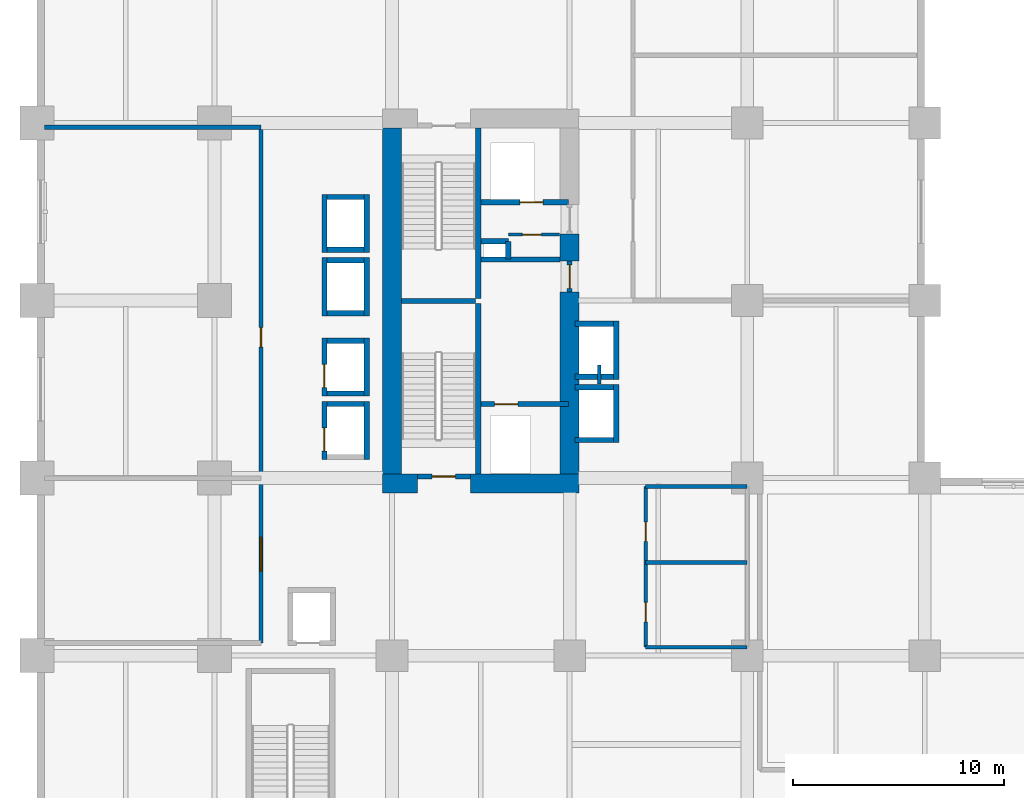
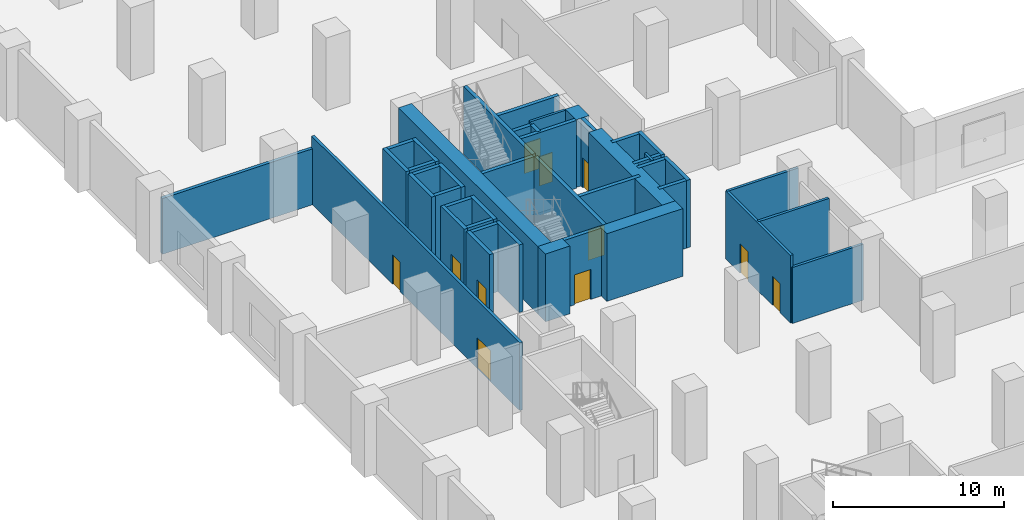
# One storey, part 12 of 19: 44 walls, 11 doors, 11 openings.
"""IFC4 building model written with IfcOpenShell, lengths in metres."""

from ifc_helpers import new_model, si_unit, direction, frame, frame_2d, origin, place, context, subcontext, project, spatial, rectangle, extrude, material, layer, layer_set, type_object, element, fill, save


model = new_model("IFC4")

# Units and contexts
model_context = context("Model", 3, precision=1e-05, world=origin(), true_north=direction((0.0, 1.0)))
body_context = subcontext(model_context, "Body", "Model", "MODEL_VIEW")
ifc_project = project(units=[si_unit("LENGTHUNIT", "METRE"), si_unit("AREAUNIT", "SQUARE_METRE"), si_unit("VOLUMEUNIT", "CUBIC_METRE"), si_unit("PLANEANGLEUNIT", "RADIAN"), si_unit("MASSUNIT", "GRAM", prefix="KILO")], contexts=[model_context])

# Site, building, storey
site_placement = place(None, origin())
site = spatial("IfcSite", under=ifc_project, at=site_placement, CompositionType="ELEMENT")
building_placement = place(site_placement, origin())
building = spatial("IfcBuilding", under=site, at=building_placement, Name="Koriwani Terraces Tower", CompositionType="ELEMENT")
storey_placement = place(building_placement, frame((0.0, 0.0, 15.60009765625)))
storey = spatial("IfcBuildingStorey", under=building, at=storey_placement, Name="L03", CompositionType="ELEMENT", Elevation=15.60009765625)

# Walls
ifc_material_1 = material(Name="Concrete C60/75", Category="concrete")
ifc_layer_1 = layer(ifc_material_1, 0.89990234375, Name="Concrete C60/75")
ifc_layer_set_1 = layer_set([ifc_layer_1], Name="Concrete C60/75")
wall_type_1 = type_object("IfcWallType", Name="WALL_CORE_RC_900", PredefinedType="SHEAR", material=ifc_layer_set_1)
wall_1_placement = place(storey_placement, frame((16.35009765625, 41.75, 0.0), z_axis=(0.0, 0.0, 1.0), x_axis=(1.0, 0.0, 0.0)))
element("IfcWall", 1, at=wall_1_placement, inside=storey, type_object=wall_type_1, Name="L03 West Split Core Shear Wall S1", PredefinedType="SHEAR", context=body_context, shape_type="SweptSolid", body=[
    extrude(rectangle(XDim=1.64990234375, YDim=0.89990234375, at=frame_2d((0.824951171875, 0.0))), origin(), (0.0, 0.0, 1.0), 4.849853515625),
])
wall_2_placement = place(storey_placement, frame((20.5, 41.75, 0.0), z_axis=(0.0, 0.0, 1.0), x_axis=(1.0, 0.0, 0.0)))
element("IfcWall", 2, at=wall_2_placement, inside=storey, type_object=wall_type_1, Name="L03 West Split Core Shear Wall S2", PredefinedType="SHEAR", context=body_context, shape_type="SweptSolid", body=[
    extrude(rectangle(XDim=5.14990234375, YDim=0.89990234375, at=frame_2d((2.574951171875, 0.0))), origin(), (0.0, 0.0, 1.0), 4.849853515625),
])
wall_3_placement = place(storey_placement, frame((16.800048828125, 42.199951171875, 0.0), z_axis=(0.0, 0.0, 1.0), x_axis=(0.0, 1.0, 0.0)))
element("IfcWall", 3, at=wall_3_placement, inside=storey, type_object=wall_type_1, Name="L03 West Split Core Shear Wall W1", PredefinedType="SHEAR", context=body_context, shape_type="SweptSolid", body=[
    extrude(rectangle(XDim=16.35009765625, YDim=0.89990234375, at=frame_2d((8.175048828125, 0.0))), origin(), (0.0, 0.0, 1.0), 4.849853515625),
])
wall_4_placement = place(storey_placement, frame((25.199951171875, 42.199951171875, 0.0), z_axis=(0.0, 0.0, 1.0), x_axis=(0.0, 1.0, 0.0)))
element("IfcWall", 4, at=wall_4_placement, inside=storey, type_object=wall_type_1, Name="L03 West Split Core Shear Wall E1", PredefinedType="SHEAR", context=body_context, shape_type="SweptSolid", body=[
    extrude(rectangle(XDim=8.60009765625, YDim=0.89990234375, at=frame_2d((4.300048828125, 0.0))), origin(), (0.0, 0.0, 1.0), 4.849853515625),
])
wall_5_placement = place(storey_placement, frame((25.199951171875, 52.280029296875, 0.0), z_axis=(0.0, 0.0, 1.0), x_axis=(0.0, 1.0, 0.0)))
element("IfcWall", 5, at=wall_5_placement, inside=storey, type_object=wall_type_1, Name="L03 West Split Core Shear Wall E2", PredefinedType="SHEAR", context=body_context, shape_type="SweptSolid", body=[
    extrude(rectangle(XDim=1.27001953125, YDim=0.89990234375, at=frame_2d((0.635009765625, 0.0))), origin(), (0.0, 0.0, 1.0), 4.849853515625),
])

# Wall, openings, doors
ifc_material_2 = material(Name="Autoclaved Cellular Concrete Blockwork", Category="masonry")
ifc_layer_2 = layer(ifc_material_2, 0.199951171875, Name="Autoclaved Cellular Concrete Blockwork")
ifc_layer_set_2 = layer_set([ifc_layer_2], Name="Autoclaved Cellular Concrete Blockwork")
wall_type_2 = type_object("IfcWallType", Name="WALL_CORRIDOR_200", PredefinedType="PARTITIONING", material=ifc_layer_set_2)
wall_6_placement = place(storey_placement, frame((10.60009765625, 34.199951171875, 0.0), z_axis=(0.0, 0.0, 1.0), x_axis=(0.0, 1.0, 0.0)))
wall_6 = element("IfcWall", 6, at=wall_6_placement, inside=storey, type_object=wall_type_2, Name="L03 Interior Wall WL03-KIT-E", PredefinedType="PARTITIONING", context=body_context, shape_type="SweptSolid", body=[
    extrude(rectangle(XDim=24.400146484375, YDim=0.199951171875, at=frame_2d((12.2001953125, 0.0))), origin(), (0.0, 0.0, 1.0), 4.849853515625),
])
opening_1_placement = place(wall_6_placement, frame((3.39990234375, 0.0, 0.0)))
opening_1 = element("IfcOpeningElement", 7, at=opening_1_placement, cuts=wall_6, Name="Opening D-08", PredefinedType="OPENING", context=body_context, shape_type="SweptSolid", body=[
    extrude(rectangle(XDim=1.60009765625, YDim=2.199951171875, at=frame_2d((0.800048828125, 1.10009765625))), frame((0.0, 0.10986328125, 0.0), z_axis=(0.0, -1.0, 0.0), x_axis=(1.0, 0.0, 0.0)), (0.0, 0.0, 1.0), 0.219970703125),
])
opening_2_placement = place(wall_6_placement, frame((14.0, 0.0, 0.0)))
opening_2 = element("IfcOpeningElement", 8, at=opening_2_placement, cuts=wall_6, Name="Opening D-06", PredefinedType="OPENING", context=body_context, shape_type="SweptSolid", body=[
    extrude(rectangle(XDim=0.919921875, YDim=2.10009765625, at=frame_2d((0.4599609375, 1.050048828125))), frame((0.0, 0.10986328125, 0.0), z_axis=(0.0, -1.0, 0.0), x_axis=(1.0, 0.0, 0.0)), (0.0, 0.0, 1.0), 0.219970703125),
])
ifc_material_3 = material(Name="Steel ASTM A572 Grade 50", Category="steel")
door_type_1 = type_object("IfcDoorType", Name="DOOR_PLANT_DOUBLE_1600X2200", OperationType="NOTDEFINED", PredefinedType="DOOR", material=ifc_material_3)
door_1_placement = place(opening_1_placement, origin())
door_1 = element("IfcDoor", 9, at=door_1_placement, inside=storey, type_object=door_type_1, Name="Banquet Catering Kitchen Door", OperationType="SINGLE_SWING_LEFT", OverallHeight=2.199951171875, OverallWidth=1.60009765625, PredefinedType="DOOR", context=body_context, shape_type="SweptSolid", body=[
    extrude(rectangle(XDim=1.60009765625, YDim=2.199951171875, at=frame_2d((0.800048828125, 1.10009765625))), frame((0.0, 0.02490234375, 0.0), z_axis=(0.0, -1.0, 0.0), x_axis=(1.0, 0.0, 0.0)), (0.0, 0.0, 1.0), 0.050048828125),
])
fill(opening_1, door_1)
ifc_material_4 = material(Name="Architectural Oak Fire Door", Category="wood")
door_type_2 = type_object("IfcDoorType", Name="DOOR_ROOM_INT_920X2100", OperationType="NOTDEFINED", PredefinedType="DOOR", material=ifc_material_4)
door_2_placement = place(opening_2_placement, origin())
door_2 = element("IfcDoor", 10, at=door_2_placement, inside=storey, type_object=door_type_2, Name="Hotel Administration Office Door", OperationType="SINGLE_SWING_RIGHT", OverallHeight=2.10009765625, OverallWidth=0.919921875, PredefinedType="DOOR", context=body_context, shape_type="SweptSolid", body=[
    extrude(rectangle(XDim=0.919921875, YDim=2.10009765625, at=frame_2d((0.4599609375, 1.050048828125))), frame((0.0, 0.02490234375, 0.0), z_axis=(0.0, -1.0, 0.0), x_axis=(1.0, 0.0, 0.0)), (0.0, 0.0, 1.0), 0.050048828125),
])
fill(opening_2, door_2)

# Wall
ifc_layer_3 = layer(ifc_material_2, 0.219970703125, Name="Autoclaved Cellular Concrete Blockwork")
ifc_layer_set_3 = layer_set([ifc_layer_3], Name="Autoclaved Cellular Concrete Blockwork")
wall_type_3 = type_object("IfcWallType", Name="WALL_DEMISING_220", PredefinedType="PARTITIONING", material=ifc_layer_set_3)
wall_7_placement = place(storey_placement, frame((0.35009765625, 58.60009765625, 0.0), z_axis=(0.0, 0.0, 1.0), x_axis=(1.0, 0.0, 0.0)))
element("IfcWall", 11, at=wall_7_placement, inside=storey, type_object=wall_type_3, Name="L03 Interior Wall WL03-KIT-N", PredefinedType="PARTITIONING", context=body_context, shape_type="SweptSolid", body=[
    extrude(rectangle(XDim=10.25, YDim=0.219970703125, at=frame_2d((5.125, 0.0))), origin(), (0.0, 0.0, 1.0), 4.0),
])

# Wall, openings, doors
ifc_material_5 = material(Name="Fire-Rated Acoustic Gypsum Partition", Category="masonry")
ifc_layer_4 = layer(ifc_material_5, 0.179931640625, Name="Fire-Rated Acoustic Gypsum Partition")
ifc_layer_set_4 = layer_set([ifc_layer_4], Name="Fire-Rated Acoustic Gypsum Partition")
wall_type_4 = type_object("IfcWallType", Name="WALL_PLUMBING_180", PredefinedType="PLUMBINGWALL", material=ifc_layer_set_4)
wall_8_placement = place(storey_placement, frame((28.800048828125, 34.0, 0.0), z_axis=(0.0, 0.0, 1.0), x_axis=(0.0, 1.0, 0.0)))
wall_8 = element("IfcWall", 12, at=wall_8_placement, inside=storey, type_object=wall_type_4, Name="L03 Interior Wall WPOD-WC-L03", PredefinedType="PLUMBINGWALL", context=body_context, shape_type="SweptSolid", body=[
    extrude(rectangle(XDim=7.60009765625, YDim=0.179931640625, at=frame_2d((3.800048828125, 0.0))), origin(), (0.0, 0.0, 1.0), 4.849853515625),
])
opening_3_placement = place(wall_8_placement, frame((1.199951171875, 0.0, 0.0)))
opening_3 = element("IfcOpeningElement", 13, at=opening_3_placement, cuts=wall_8, Name="Opening D-06", PredefinedType="OPENING", context=body_context, shape_type="SweptSolid", body=[
    extrude(rectangle(XDim=0.919921875, YDim=2.10009765625, at=frame_2d((0.4599609375, 1.050048828125))), frame((0.0, 0.10009765625, 0.0), z_axis=(0.0, -1.0, 0.0), x_axis=(1.0, 0.0, 0.0)), (0.0, 0.0, 1.0), 0.199951171875),
])
opening_4_placement = place(wall_8_placement, frame((5.0, 0.0, 0.0)))
opening_4 = element("IfcOpeningElement", 14, at=opening_4_placement, cuts=wall_8, Name="Opening D-06", PredefinedType="OPENING", context=body_context, shape_type="SweptSolid", body=[
    extrude(rectangle(XDim=0.919921875, YDim=2.10009765625, at=frame_2d((0.4599609375, 1.050048828125))), frame((0.0, 0.10009765625, 0.0), z_axis=(0.0, -1.0, 0.0), x_axis=(1.0, 0.0, 0.0)), (0.0, 0.0, 1.0), 0.199951171875),
])
door_3_placement = place(opening_3_placement, origin())
door_3 = element("IfcDoor", 15, at=door_3_placement, inside=storey, type_object=door_type_2, Name="L03 Public Washroom WC Door", OperationType="SINGLE_SWING_LEFT", OverallHeight=2.10009765625, OverallWidth=0.919921875, PredefinedType="DOOR", context=body_context, shape_type="SweptSolid", body=[
    extrude(rectangle(XDim=0.919921875, YDim=2.10009765625, at=frame_2d((0.4599609375, 1.050048828125))), frame((0.0, 0.02490234375, 0.0), z_axis=(0.0, -1.0, 0.0), x_axis=(1.0, 0.0, 0.0)), (0.0, 0.0, 1.0), 0.050048828125),
])
fill(opening_3, door_3)
door_4_placement = place(opening_4_placement, origin())
door_4 = element("IfcDoor", 16, at=door_4_placement, inside=storey, type_object=door_type_2, Name="L03 Accessible WC Door", OperationType="SINGLE_SWING_RIGHT", OverallHeight=2.10009765625, OverallWidth=0.919921875, PredefinedType="DOOR", context=body_context, shape_type="SweptSolid", body=[
    extrude(rectangle(XDim=0.919921875, YDim=2.10009765625, at=frame_2d((0.4599609375, 1.050048828125))), frame((0.0, 0.02490234375, 0.0), z_axis=(0.0, -1.0, 0.0), x_axis=(1.0, 0.0, 0.0)), (0.0, 0.0, 1.0), 0.050048828125),
])
fill(opening_4, door_4)

# Walls
wall_9_placement = place(storey_placement, frame((28.800048828125, 38.0, 0.0), z_axis=(0.0, 0.0, 1.0), x_axis=(1.0, 0.0, 0.0)))
element("IfcWall", 17, at=wall_9_placement, inside=storey, type_object=wall_type_4, Name="L03 Interior Wall WPOD-WCM-L03", PredefinedType="PLUMBINGWALL", context=body_context, shape_type="SweptSolid", body=[
    extrude(rectangle(XDim=4.800048828125, YDim=0.179931640625, at=frame_2d((2.39990234375, 0.0))), origin(), (0.0, 0.0, 1.0), 4.849853515625),
])
wall_10_placement = place(storey_placement, frame((28.800048828125, 34.0, 0.0), z_axis=(0.0, 0.0, 1.0), x_axis=(1.0, 0.0, 0.0)))
element("IfcWall", 18, at=wall_10_placement, inside=storey, type_object=wall_type_4, Name="L03 Interior Wall WPOD-WCS-L03", PredefinedType="PLUMBINGWALL", context=body_context, shape_type="SweptSolid", body=[
    extrude(rectangle(XDim=4.800048828125, YDim=0.179931640625, at=frame_2d((2.39990234375, 0.0))), origin(), (0.0, 0.0, 1.0), 4.0),
])
wall_11_placement = place(storey_placement, frame((28.800048828125, 41.60009765625, 0.0), z_axis=(0.0, 0.0, 1.0), x_axis=(1.0, 0.0, 0.0)))
element("IfcWall", 19, at=wall_11_placement, inside=storey, type_object=wall_type_4, Name="L03 Interior Wall WPOD-WCN-L03", PredefinedType="PLUMBINGWALL", context=body_context, shape_type="SweptSolid", body=[
    extrude(rectangle(XDim=4.800048828125, YDim=0.179931640625, at=frame_2d((2.39990234375, 0.0))), origin(), (0.0, 0.0, 1.0), 4.849853515625),
])
ifc_material_6 = material(Name="Concrete C40/50", Category="concrete")
ifc_layer_5 = layer(ifc_material_6, 0.25, Name="Concrete C40/50")
ifc_layer_set_5 = layer_set([ifc_layer_5], Name="Concrete C40/50")
wall_type_5 = type_object("IfcWallType", Name="WALL_SHAFT_RATED_250", PredefinedType="SOLIDWALL", material=ifc_layer_set_5)
for number, where, z_axis, x_axis, name in (
    (20, (20.875, 42.199951171875, 0.0), (0.0, 0.0, 1.0), (0.0, 1.0, 0.0), "L03 West Split Core Web Wall MID1"),
    (21, (20.875, 50.5, 0.0), (0.0, 0.0, 1.0), (0.0, 1.0, 0.0), "L03 West Split Core Web Wall MID2"),
):
    element("IfcWall", number, at=place(storey_placement, frame(where, z_axis=z_axis, x_axis=x_axis)), inside=storey, type_object=wall_type_5, Name=name, PredefinedType="SOLIDWALL", context=body_context, shape_type="SweptSolid", body=[
        extrude(rectangle(XDim=8.050048828125, YDim=0.25, at=frame_2d((4.02490234375, 0.0))), origin(), (0.0, 0.0, 1.0), 4.849853515625),
    ])
wall_12_placement = place(storey_placement, frame((17.25, 50.375, 0.0), z_axis=(0.0, 0.0, 1.0), x_axis=(1.0, 0.0, 0.0)))
element("IfcWall", 22, at=wall_12_placement, inside=storey, type_object=wall_type_5, Name="L03 West Split Core Stair Dividing Wall", PredefinedType="SOLIDWALL", context=body_context, shape_type="SweptSolid", body=[
    extrude(rectangle(XDim=3.5, YDim=0.25, at=frame_2d((1.75, 0.0))), origin(), (0.0, 0.0, 1.0), 4.849853515625),
])

# Wall, opening, door
wall_13_placement = place(storey_placement, frame((18.0, 42.074951171875, 0.0), z_axis=(0.0, 0.0, 1.0), x_axis=(1.0, 0.0, 0.0)))
wall_13 = element("IfcWall", 23, at=wall_13_placement, inside=storey, type_object=wall_type_5, Name="L03 Interior Wall WIN-CW-L03-STS", PredefinedType="SOLIDWALL", context=body_context, shape_type="SweptSolid", body=[
    extrude(rectangle(XDim=2.5, YDim=0.25, at=frame_2d((1.25, 0.0))), origin(), (0.0, 0.0, 1.0), 4.849853515625),
])
opening_5_placement = place(wall_13_placement, frame((0.699951171875, 0.0, 0.0)))
opening_5 = element("IfcOpeningElement", 24, at=opening_5_placement, cuts=wall_13, Name="Opening D-03", PredefinedType="OPENING", context=body_context, shape_type="SweptSolid", body=[
    extrude(rectangle(XDim=1.10009765625, YDim=2.14990234375, at=frame_2d((0.550048828125, 1.074951171875))), frame((0.0, 0.135009765625, 0.0), z_axis=(0.0, -1.0, 0.0), x_axis=(1.0, 0.0, 0.0)), (0.0, 0.0, 1.0), 0.27001953125),
])
door_type_3 = type_object("IfcDoorType", Name="DOOR_STAIR_FIRE_1100X2150", OperationType="NOTDEFINED", PredefinedType="DOOR", material=ifc_material_3)
door_5_placement = place(opening_5_placement, origin())
door_5 = element("IfcDoor", 25, at=door_5_placement, inside=storey, type_object=door_type_3, Name="L03 Exit Stair ST-W1 Door", OperationType="SINGLE_SWING_LEFT", OverallHeight=2.14990234375, OverallWidth=1.10009765625, PredefinedType="DOOR", context=body_context, shape_type="SweptSolid", body=[
    extrude(rectangle(XDim=1.10009765625, YDim=2.14990234375, at=frame_2d((0.550048828125, 1.074951171875))), frame((0.0, 0.02490234375, 0.0), z_axis=(0.0, -1.0, 0.0), x_axis=(1.0, 0.0, 0.0)), (0.0, 0.0, 1.0), 0.050048828125),
])
fill(opening_5, door_5)

wall_14_placement = place(storey_placement, frame((21.0, 45.5, 0.0), z_axis=(0.0, 0.0, 1.0), x_axis=(1.0, 0.0, 0.0)))
wall_14 = element("IfcWall", 26, at=wall_14_placement, inside=storey, type_object=wall_type_5, Name="L03 Interior Wall WIN-CW-L03-FE", PredefinedType="SOLIDWALL", context=body_context, shape_type="SweptSolid", body=[
    extrude(rectangle(XDim=4.14990234375, YDim=0.25, at=frame_2d((2.074951171875, 0.0))), origin(), (0.0, 0.0, 1.0), 4.849853515625),
])
opening_6_placement = place(wall_14_placement, frame((0.64990234375, 0.0, 0.0)))
opening_6 = element("IfcOpeningElement", 27, at=opening_6_placement, cuts=wall_14, Name="Opening LD-01", PredefinedType="OPENING", context=body_context, shape_type="SweptSolid", body=[
    extrude(rectangle(XDim=1.10009765625, YDim=2.14990234375, at=frame_2d((0.550048828125, 1.074951171875))), frame((0.0, 0.135009765625, 0.0), z_axis=(0.0, -1.0, 0.0), x_axis=(1.0, 0.0, 0.0)), (0.0, 0.0, 1.0), 0.27001953125),
])
door_type_4 = type_object("IfcDoorType", Name="DOOR_LIFT_LANDING_1100X2200", OperationType="NOTDEFINED", PredefinedType="DOOR", material=ifc_material_3)
door_6_placement = place(opening_6_placement, origin())
door_6 = element("IfcDoor", 28, at=door_6_placement, inside=storey, type_object=door_type_4, Name="L03 Firefighting Lift FE-01 Landing Door", OperationType="SLIDING_TO_LEFT", OverallHeight=2.14990234375, OverallWidth=1.10009765625, PredefinedType="DOOR", context=body_context, shape_type="SweptSolid", body=[
    extrude(rectangle(XDim=1.10009765625, YDim=2.14990234375, at=frame_2d((0.550048828125, 1.074951171875))), frame((0.0, 0.02490234375, 0.0), z_axis=(0.0, -1.0, 0.0), x_axis=(1.0, 0.0, 0.0)), (0.0, 0.0, 1.0), 0.050048828125),
])
fill(opening_6, door_6)

wall_15_placement = place(storey_placement, frame((25.199951171875, 50.800048828125, 0.0), z_axis=(0.0, 0.0, 1.0), x_axis=(0.0, 1.0, 0.0)))
wall_15 = element("IfcWall", 29, at=wall_15_placement, inside=storey, type_object=wall_type_5, Name="L03 Interior Wall WIN-CW-L03-EP", PredefinedType="SOLIDWALL", context=body_context, shape_type="SweptSolid", body=[
    extrude(rectangle(XDim=1.47998046875, YDim=0.25, at=frame_2d((0.739990234375, 0.0))), origin(), (0.0, 0.0, 1.0), 4.849853515625),
])
opening_7_placement = place(wall_15_placement, frame((0.179931640625, 0.0, 0.0)))
opening_7 = element("IfcOpeningElement", 30, at=opening_7_placement, cuts=wall_15, Name="Opening D-03", PredefinedType="OPENING", context=body_context, shape_type="SweptSolid", body=[
    extrude(rectangle(XDim=1.10009765625, YDim=2.14990234375, at=frame_2d((0.550048828125, 1.074951171875))), frame((0.0, 0.135009765625, 0.0), z_axis=(0.0, -1.0, 0.0), x_axis=(1.0, 0.0, 0.0)), (0.0, 0.0, 1.0), 0.27001953125),
])
door_7_placement = place(opening_7_placement, origin())
door_7 = element("IfcDoor", 31, at=door_7_placement, inside=storey, type_object=door_type_3, Name="L03 West Firefighting Lobby Door", OperationType="SINGLE_SWING_LEFT", OverallHeight=2.14990234375, OverallWidth=1.10009765625, PredefinedType="DOOR", context=body_context, shape_type="SweptSolid", body=[
    extrude(rectangle(XDim=1.10009765625, YDim=2.14990234375, at=frame_2d((0.550048828125, 1.074951171875))), frame((0.0, 0.02490234375, 0.0), z_axis=(0.0, -1.0, 0.0), x_axis=(1.0, 0.0, 0.0)), (0.0, 0.0, 1.0), 0.050048828125),
])
fill(opening_7, door_7)

# Wall
wall_16_placement = place(storey_placement, frame((21.0, 52.340087890625, 0.0), z_axis=(0.0, 0.0, 1.0), x_axis=(1.0, 0.0, 0.0)))
element("IfcWall", 32, at=wall_16_placement, inside=storey, type_object=wall_type_5, Name="L03 Interior Wall WIN-CW-L03-FFN", PredefinedType="SOLIDWALL", context=body_context, shape_type="SweptSolid", body=[
    extrude(rectangle(XDim=3.75, YDim=0.25, at=frame_2d((1.875, 0.0))), origin(), (0.0, 0.0, 1.0), 4.849853515625),
])

# Wall, opening, door
wall_17_placement = place(storey_placement, frame((21.0, 55.050048828125, 0.0), z_axis=(0.0, 0.0, 1.0), x_axis=(1.0, 0.0, 0.0)))
wall_17 = element("IfcWall", 33, at=wall_17_placement, inside=storey, type_object=wall_type_5, Name="L03 Interior Wall WIN-CW-L03-SE", PredefinedType="SOLIDWALL", context=body_context, shape_type="SweptSolid", body=[
    extrude(rectangle(XDim=4.14990234375, YDim=0.25, at=frame_2d((2.074951171875, 0.0))), origin(), (0.0, 0.0, 1.0), 4.849853515625),
])
opening_8_placement = place(wall_17_placement, frame((1.85009765625, 0.0, 0.0)))
opening_8 = element("IfcOpeningElement", 34, at=opening_8_placement, cuts=wall_17, Name="Opening LD-01", PredefinedType="OPENING", context=body_context, shape_type="SweptSolid", body=[
    extrude(rectangle(XDim=1.10009765625, YDim=2.14990234375, at=frame_2d((0.550048828125, 1.074951171875))), frame((0.0, 0.135009765625, 0.0), z_axis=(0.0, -1.0, 0.0), x_axis=(1.0, 0.0, 0.0)), (0.0, 0.0, 1.0), 0.27001953125),
])
door_8_placement = place(opening_8_placement, origin())
door_8 = element("IfcDoor", 35, at=door_8_placement, inside=storey, type_object=door_type_4, Name="L03 Goods Lift SE-01 Landing Door", OperationType="SLIDING_TO_LEFT", OverallHeight=2.14990234375, OverallWidth=1.10009765625, PredefinedType="DOOR", context=body_context, shape_type="SweptSolid", body=[
    extrude(rectangle(XDim=1.10009765625, YDim=2.14990234375, at=frame_2d((0.550048828125, 1.074951171875))), frame((0.0, 0.02490234375, 0.0), z_axis=(0.0, -1.0, 0.0), x_axis=(1.0, 0.0, 0.0)), (0.0, 0.0, 1.0), 0.050048828125),
])
fill(opening_8, door_8)

# Walls
wall_18_placement = place(storey_placement, frame((21.0, 53.199951171875, 0.0), z_axis=(0.0, 0.0, 1.0), x_axis=(1.0, 0.0, 0.0)))
element("IfcWall", 36, at=wall_18_placement, inside=storey, type_object=wall_type_5, Name="L03 Interior Wall WIN-CW-L03-RS1", PredefinedType="SOLIDWALL", context=body_context, shape_type="SweptSolid", body=[
    extrude(rectangle(XDim=1.300048828125, YDim=0.25, at=frame_2d((0.64990234375, 0.0))), origin(), (0.0, 0.0, 1.0), 4.849853515625),
])
wall_19_placement = place(storey_placement, frame((22.300048828125, 52.360107421875, 0.0), z_axis=(0.0, 0.0, 1.0), x_axis=(0.0, 1.0, 0.0)))
element("IfcWall", 37, at=wall_19_placement, inside=storey, type_object=wall_type_5, Name="L03 Interior Wall WIN-CW-L03-RS2", PredefinedType="SOLIDWALL", context=body_context, shape_type="SweptSolid", body=[
    extrude(rectangle(XDim=0.83984375, YDim=0.25, at=frame_2d((0.419921875, 0.0))), origin(), (0.0, 0.0, 1.0), 4.849853515625),
])

# Wall, opening, door
wall_20_placement = place(storey_placement, frame((13.60009765625, 42.875, 0.0), z_axis=(0.0, 0.0, 1.0), x_axis=(0.0, 1.0, 0.0)))
wall_20 = element("IfcWall", 38, at=wall_20_placement, inside=storey, type_object=wall_type_5, Name="L03 Interior Wall WIN-LF-PE-L1-L03-F", PredefinedType="SOLIDWALL", context=body_context, shape_type="SweptSolid", body=[
    extrude(rectangle(XDim=2.75, YDim=0.25, at=frame_2d((1.375, 0.0))), origin(), (0.0, 0.0, 1.0), 4.849853515625),
])
opening_9_placement = place(wall_20_placement, frame((0.39990234375, 0.0, 0.0)))
opening_9 = element("IfcOpeningElement", 39, at=opening_9_placement, cuts=wall_20, Name="Opening LD-01", PredefinedType="OPENING", context=body_context, shape_type="SweptSolid", body=[
    extrude(rectangle(XDim=1.10009765625, YDim=2.14990234375, at=frame_2d((0.550048828125, 1.074951171875))), frame((0.0, 0.135009765625, 0.0), z_axis=(0.0, -1.0, 0.0), x_axis=(1.0, 0.0, 0.0)), (0.0, 0.0, 1.0), 0.27001953125),
])
door_9_placement = place(opening_9_placement, origin())
door_9 = element("IfcDoor", 40, at=door_9_placement, inside=storey, type_object=door_type_4, Name="L03 Passenger Lift PE-L1 Landing Door", OperationType="SLIDING_TO_LEFT", OverallHeight=2.14990234375, OverallWidth=1.10009765625, PredefinedType="DOOR", context=body_context, shape_type="SweptSolid", body=[
    extrude(rectangle(XDim=1.10009765625, YDim=2.14990234375, at=frame_2d((0.550048828125, 1.074951171875))), frame((0.0, 0.02490234375, 0.0), z_axis=(0.0, -1.0, 0.0), x_axis=(1.0, 0.0, 0.0)), (0.0, 0.0, 1.0), 0.050048828125),
])
fill(opening_9, door_9)

# Walls
wall_21_placement = place(storey_placement, frame((15.60009765625, 42.875, 0.0), z_axis=(0.0, 0.0, 1.0), x_axis=(0.0, 1.0, 0.0)))
element("IfcWall", 41, at=wall_21_placement, inside=storey, type_object=wall_type_5, Name="L03 Interior Wall WIN-LF-PE-L1-L03-B", PredefinedType="SOLIDWALL", context=body_context, shape_type="SweptSolid", body=[
    extrude(rectangle(XDim=2.75, YDim=0.25, at=frame_2d((1.375, 0.0))), origin(), (0.0, 0.0, 1.0), 4.849853515625),
])
wall_22_placement = place(storey_placement, frame((13.72509765625, 45.5, 0.0), z_axis=(0.0, 0.0, 1.0), x_axis=(1.0, 0.0, 0.0)))
element("IfcWall", 42, at=wall_22_placement, inside=storey, type_object=wall_type_5, Name="L03 Interior Wall WIN-LF-PE-L1-L03-N", PredefinedType="SOLIDWALL", context=body_context, shape_type="SweptSolid", body=[
    extrude(rectangle(XDim=1.75, YDim=0.25, at=frame_2d((0.875, 0.0))), origin(), (0.0, 0.0, 1.0), 4.849853515625),
])

# Wall, opening, door
wall_23_placement = place(storey_placement, frame((13.60009765625, 45.875, 0.0), z_axis=(0.0, 0.0, 1.0), x_axis=(0.0, 1.0, 0.0)))
wall_23 = element("IfcWall", 43, at=wall_23_placement, inside=storey, type_object=wall_type_5, Name="L03 Interior Wall WIN-LF-PE-L2-L03-F", PredefinedType="SOLIDWALL", context=body_context, shape_type="SweptSolid", body=[
    extrude(rectangle(XDim=2.75, YDim=0.25, at=frame_2d((1.375, 0.0))), origin(), (0.0, 0.0, 1.0), 4.849853515625),
])
opening_10_placement = place(wall_23_placement, frame((0.39990234375, 0.0, 0.0)))
opening_10 = element("IfcOpeningElement", 44, at=opening_10_placement, cuts=wall_23, Name="Opening LD-01", PredefinedType="OPENING", context=body_context, shape_type="SweptSolid", body=[
    extrude(rectangle(XDim=1.10009765625, YDim=2.14990234375, at=frame_2d((0.550048828125, 1.074951171875))), frame((0.0, 0.135009765625, 0.0), z_axis=(0.0, -1.0, 0.0), x_axis=(1.0, 0.0, 0.0)), (0.0, 0.0, 1.0), 0.27001953125),
])
door_10_placement = place(opening_10_placement, origin())
door_10 = element("IfcDoor", 45, at=door_10_placement, inside=storey, type_object=door_type_4, Name="L03 Passenger Lift PE-L2 Landing Door", OperationType="SLIDING_TO_LEFT", OverallHeight=2.14990234375, OverallWidth=1.10009765625, PredefinedType="DOOR", context=body_context, shape_type="SweptSolid", body=[
    extrude(rectangle(XDim=1.10009765625, YDim=2.14990234375, at=frame_2d((0.550048828125, 1.074951171875))), frame((0.0, 0.02490234375, 0.0), z_axis=(0.0, -1.0, 0.0), x_axis=(1.0, 0.0, 0.0)), (0.0, 0.0, 1.0), 0.050048828125),
])
fill(opening_10, door_10)

# Walls
wall_24_placement = place(storey_placement, frame((15.60009765625, 45.875, 0.0), z_axis=(0.0, 0.0, 1.0), x_axis=(0.0, 1.0, 0.0)))
element("IfcWall", 46, at=wall_24_placement, inside=storey, type_object=wall_type_5, Name="L03 Interior Wall WIN-LF-PE-L2-L03-B", PredefinedType="SOLIDWALL", context=body_context, shape_type="SweptSolid", body=[
    extrude(rectangle(XDim=2.75, YDim=0.25, at=frame_2d((1.375, 0.0))), origin(), (0.0, 0.0, 1.0), 4.849853515625),
])
for number, where, z_axis, x_axis, name in (
    (47, (13.72509765625, 46.0, 0.0), (0.0, 0.0, 1.0), (1.0, 0.0, 0.0), "L03 Interior Wall WIN-LF-PE-L2-L03-S"),
    (48, (13.72509765625, 48.5, 0.0), (0.0, 0.0, 1.0), (1.0, 0.0, 0.0), "L03 Interior Wall WIN-LF-PE-L2-L03-N"),
):
    element("IfcWall", number, at=place(storey_placement, frame(where, z_axis=z_axis, x_axis=x_axis)), inside=storey, type_object=wall_type_5, Name=name, PredefinedType="SOLIDWALL", context=body_context, shape_type="SweptSolid", body=[
        extrude(rectangle(XDim=1.75, YDim=0.25, at=frame_2d((0.875, 0.0))), origin(), (0.0, 0.0, 1.0), 4.849853515625),
    ])
for number, where, z_axis, x_axis, name in (
    (49, (13.60009765625, 49.675048828125, 0.0), (0.0, 0.0, 1.0), (0.0, 1.0, 0.0), "L03 Interior Wall WIN-LF-PE-M1-L03-F"),
    (50, (15.60009765625, 49.675048828125, 0.0), (0.0, 0.0, 1.0), (0.0, 1.0, 0.0), "L03 Interior Wall WIN-LF-PE-M1-L03-B"),
):
    element("IfcWall", number, at=place(storey_placement, frame(where, z_axis=z_axis, x_axis=x_axis)), inside=storey, type_object=wall_type_5, Name=name, PredefinedType="SOLIDWALL", context=body_context, shape_type="SweptSolid", body=[
        extrude(rectangle(XDim=2.75, YDim=0.25, at=frame_2d((1.375, 0.0))), origin(), (0.0, 0.0, 1.0), 4.849853515625),
    ])
for number, where, z_axis, x_axis, name in (
    (51, (13.72509765625, 49.800048828125, 0.0), (0.0, 0.0, 1.0), (1.0, 0.0, 0.0), "L03 Interior Wall WIN-LF-PE-M1-L03-S"),
    (52, (13.72509765625, 52.300048828125, 0.0), (0.0, 0.0, 1.0), (1.0, 0.0, 0.0), "L03 Interior Wall WIN-LF-PE-M1-L03-N"),
):
    element("IfcWall", number, at=place(storey_placement, frame(where, z_axis=z_axis, x_axis=x_axis)), inside=storey, type_object=wall_type_5, Name=name, PredefinedType="SOLIDWALL", context=body_context, shape_type="SweptSolid", body=[
        extrude(rectangle(XDim=1.75, YDim=0.25, at=frame_2d((0.875, 0.0))), origin(), (0.0, 0.0, 1.0), 4.849853515625),
    ])
for number, where, z_axis, x_axis, name in (
    (53, (13.60009765625, 52.675048828125, 0.0), (0.0, 0.0, 1.0), (0.0, 1.0, 0.0), "L03 Interior Wall WIN-LF-PE-M2-L03-F"),
    (54, (15.60009765625, 52.675048828125, 0.0), (0.0, 0.0, 1.0), (0.0, 1.0, 0.0), "L03 Interior Wall WIN-LF-PE-M2-L03-B"),
):
    element("IfcWall", number, at=place(storey_placement, frame(where, z_axis=z_axis, x_axis=x_axis)), inside=storey, type_object=wall_type_5, Name=name, PredefinedType="SOLIDWALL", context=body_context, shape_type="SweptSolid", body=[
        extrude(rectangle(XDim=2.75, YDim=0.25, at=frame_2d((1.375, 0.0))), origin(), (0.0, 0.0, 1.0), 4.849853515625),
    ])
for number, where, z_axis, x_axis, name in (
    (55, (13.72509765625, 52.800048828125, 0.0), (0.0, 0.0, 1.0), (1.0, 0.0, 0.0), "L03 Interior Wall WIN-LF-PE-M2-L03-S"),
    (56, (13.72509765625, 55.300048828125, 0.0), (0.0, 0.0, 1.0), (1.0, 0.0, 0.0), "L03 Interior Wall WIN-LF-PE-M2-L03-N"),
):
    element("IfcWall", number, at=place(storey_placement, frame(where, z_axis=z_axis, x_axis=x_axis)), inside=storey, type_object=wall_type_5, Name=name, PredefinedType="SOLIDWALL", context=body_context, shape_type="SweptSolid", body=[
        extrude(rectangle(XDim=1.75, YDim=0.25, at=frame_2d((0.875, 0.0))), origin(), (0.0, 0.0, 1.0), 4.849853515625),
    ])
wall_25_placement = place(storey_placement, frame((27.39990234375, 43.675048828125, 0.0), z_axis=(0.0, 0.0, 1.0), x_axis=(0.0, 1.0, 0.0)))
element("IfcWall", 57, at=wall_25_placement, inside=storey, type_object=wall_type_5, Name="L03 Interior Wall WIN-LF-PE-H1-L03-F", PredefinedType="SOLIDWALL", context=body_context, shape_type="SweptSolid", body=[
    extrude(rectangle(XDim=2.75, YDim=0.25, at=frame_2d((1.375, 0.0))), origin(), (0.0, 0.0, 1.0), 4.849853515625),
])
for number, where, z_axis, x_axis, name in (
    (58, (25.449951171875, 43.800048828125, 0.0), (0.0, 0.0, 1.0), (1.0, 0.0, 0.0), "L03 Interior Wall WIN-LF-PE-H1-L03-S"),
    (59, (25.449951171875, 46.300048828125, 0.0), (0.0, 0.0, 1.0), (1.0, 0.0, 0.0), "L03 Interior Wall WIN-LF-PE-H1-L03-N"),
):
    element("IfcWall", number, at=place(storey_placement, frame(where, z_axis=z_axis, x_axis=x_axis)), inside=storey, type_object=wall_type_5, Name=name, PredefinedType="SOLIDWALL", context=body_context, shape_type="SweptSolid", body=[
        extrude(rectangle(XDim=1.824951171875, YDim=0.25, at=frame_2d((0.91259765625, 0.0))), origin(), (0.0, 0.0, 1.0), 4.849853515625),
    ])
wall_26_placement = place(storey_placement, frame((27.39990234375, 46.675048828125, 0.0), z_axis=(0.0, 0.0, 1.0), x_axis=(0.0, 1.0, 0.0)))
element("IfcWall", 60, at=wall_26_placement, inside=storey, type_object=wall_type_5, Name="L03 Interior Wall WIN-LF-PE-H2-L03-F", PredefinedType="SOLIDWALL", context=body_context, shape_type="SweptSolid", body=[
    extrude(rectangle(XDim=2.75, YDim=0.25, at=frame_2d((1.375, 0.0))), origin(), (0.0, 0.0, 1.0), 4.849853515625),
])
for number, where, z_axis, x_axis, name in (
    (61, (25.449951171875, 46.800048828125, 0.0), (0.0, 0.0, 1.0), (1.0, 0.0, 0.0), "L03 Interior Wall WIN-LF-PE-H2-L03-S"),
    (62, (25.449951171875, 49.300048828125, 0.0), (0.0, 0.0, 1.0), (1.0, 0.0, 0.0), "L03 Interior Wall WIN-LF-PE-H2-L03-N"),
):
    element("IfcWall", number, at=place(storey_placement, frame(where, z_axis=z_axis, x_axis=x_axis)), inside=storey, type_object=wall_type_5, Name=name, PredefinedType="SOLIDWALL", context=body_context, shape_type="SweptSolid", body=[
        extrude(rectangle(XDim=1.824951171875, YDim=0.25, at=frame_2d((0.91259765625, 0.0))), origin(), (0.0, 0.0, 1.0), 4.849853515625),
    ])

# Wall, opening, door
ifc_layer_6 = layer(ifc_material_5, 0.159912109375, Name="Fire-Rated Acoustic Gypsum Partition")
ifc_layer_set_6 = layer_set([ifc_layer_6], Name="Fire-Rated Acoustic Gypsum Partition")
wall_type_6 = type_object("IfcWallType", Name="WALL_SUITE_160", PredefinedType="PARTITIONING", material=ifc_layer_set_6)
wall_27_placement = place(storey_placement, frame((22.320068359375, 53.52001953125, 0.0), z_axis=(0.0, 0.0, 1.0), x_axis=(1.0, 0.0, 0.0)))
wall_27 = element("IfcWall", 63, at=wall_27_placement, inside=storey, type_object=wall_type_6, Name="L03 Interior Wall WIN-CW-L03-SV0", PredefinedType="PARTITIONING", context=body_context, shape_type="SweptSolid", body=[
    extrude(rectangle(XDim=2.39990234375, YDim=0.159912109375, at=frame_2d((1.199951171875, 0.0))), origin(), (0.0, 0.0, 1.0), 4.849853515625),
])
opening_11_placement = place(wall_27_placement, frame((0.64990234375, 0.0, 0.0)))
opening_11 = element("IfcOpeningElement", 64, at=opening_11_placement, cuts=wall_27, Name="Opening D-07", PredefinedType="OPENING", context=body_context, shape_type="SweptSolid", body=[
    extrude(rectangle(XDim=0.89990234375, YDim=2.10009765625, at=frame_2d((0.449951171875, 1.050048828125))), frame((0.0, 0.08984375, 0.0), z_axis=(0.0, -1.0, 0.0), x_axis=(1.0, 0.0, 0.0)), (0.0, 0.0, 1.0), 0.179931640625),
])
door_type_5 = type_object("IfcDoorType", Name="DOOR_BATH_INT_900X2100", OperationType="NOTDEFINED", PredefinedType="DOOR", material=ifc_material_4)
door_11_placement = place(opening_11_placement, origin())
door_11 = element("IfcDoor", 65, at=door_11_placement, inside=storey, type_object=door_type_5, Name="L03 West Electrical Switch Room Door", OperationType="SINGLE_SWING_LEFT", OverallHeight=2.10009765625, OverallWidth=0.89990234375, PredefinedType="DOOR", context=body_context, shape_type="SweptSolid", body=[
    extrude(rectangle(XDim=0.89990234375, YDim=2.10009765625, at=frame_2d((0.449951171875, 1.050048828125))), frame((0.0, 0.02490234375, 0.0), z_axis=(0.0, -1.0, 0.0), x_axis=(1.0, 0.0, 0.0)), (0.0, 0.0, 1.0), 0.050048828125),
])
fill(opening_11, door_11)

# Wall
wall_28_placement = place(storey_placement, frame((26.60009765625, 46.4599609375, 0.0), z_axis=(0.0, 0.0, 1.0), x_axis=(0.0, 1.0, 0.0)))
element("IfcWall", 66, at=wall_28_placement, inside=storey, type_object=wall_type_6, Name="L03 Interior Wall WIN-LF-PEH12-MID-L03", PredefinedType="PARTITIONING", context=body_context, shape_type="SweptSolid", body=[
    extrude(rectangle(XDim=0.880126953125, YDim=0.159912109375, at=frame_2d((0.43994140625, 0.0))), origin(), (0.0, 0.0, 1.0), 4.849853515625),
])

save(model, "model.ifc")
